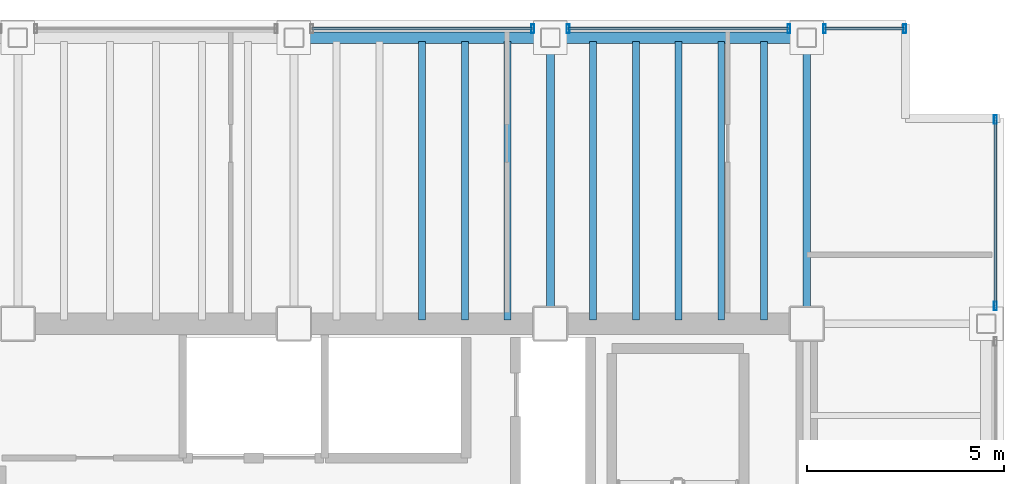
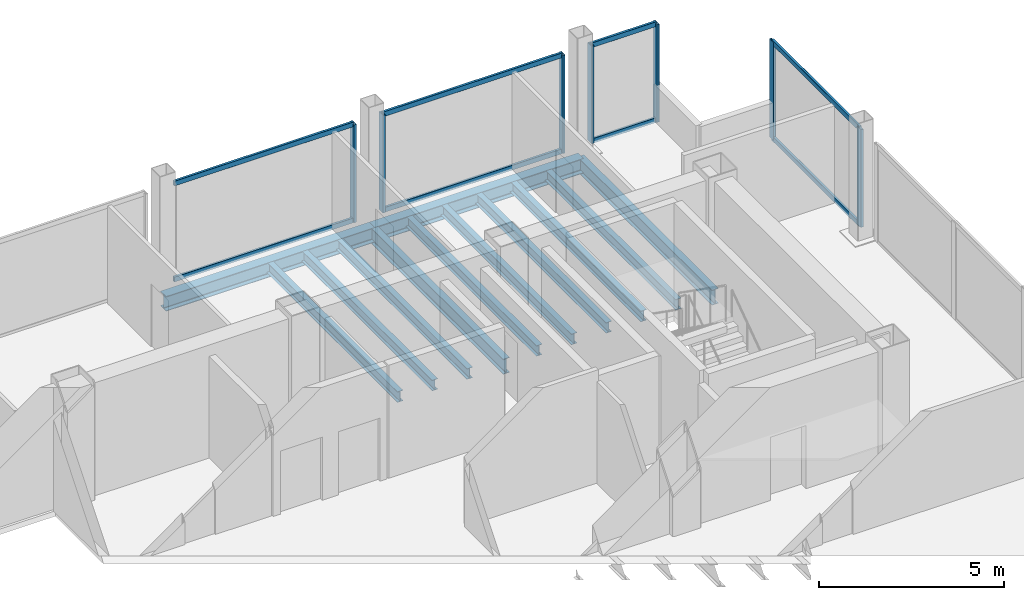
# One storey, part 14 of 19: 15 members, 12 beams, 4 elements without a shape of their own.
"""IFC4 building model written with IfcOpenShell, lengths in metres."""

from ifc_helpers import new_model, si_unit, direction, frame, origin, origin_2d, place, context, subcontext, project, spatial, hollow_rectangle, i_section, extrude, material, material_profile, profile_set, type_object, element, aggregate, save


model = new_model("IFC4")

# Units and contexts
model_context = context("Model", 3, precision=1e-05, world=origin(), true_north=direction((0.0, 1.0)))
body_context = subcontext(model_context, "Body", "Model", "MODEL_VIEW")
ifc_project = project(units=[si_unit("LENGTHUNIT", "METRE"), si_unit("AREAUNIT", "SQUARE_METRE"), si_unit("VOLUMEUNIT", "CUBIC_METRE"), si_unit("PLANEANGLEUNIT", "RADIAN"), si_unit("MASSUNIT", "GRAM", prefix="KILO")], contexts=[model_context])

# Site, building, storey
site_placement = place(None, origin())
site = spatial("IfcSite", under=ifc_project, at=site_placement, CompositionType="ELEMENT")
building_placement = place(site_placement, origin())
building = spatial("IfcBuilding", under=site, at=building_placement, Name="Noeulbin Bourse Tower", CompositionType="ELEMENT")
storey_placement = place(building_placement, frame((0.0, 0.0, 153.89990234375)))
storey = spatial("IfcBuildingStorey", under=building, at=storey_placement, Name="L38", CompositionType="ELEMENT", Elevation=153.89990234375)

# Beams
ifc_material_1 = material(Name="Steel S355", Category="steel")
ifc_material_profile_1 = material_profile(ifc_material_1, i_section(OverallWidth=0.199951171875, OverallDepth=0.5, WebThickness=0.010009765625, FlangeThickness=0.01611328125, FilletRadius=0.02001953125, at=origin_2d()), Name="H-500x200x10x16", Category="LoadBearing")
ifc_profile_set_1 = profile_set([ifc_material_profile_1], Name="Steel S355")
beam_type_1 = type_object("IfcBeamType", Name="BM-GRD-500", PredefinedType="USERDEFINED", material=ifc_profile_set_1)
for number, where, z_axis, x_axis, name in (
    (1, (37.5, 38.300048828125, -0.429931640625), (0.0, 1.0, 0.0), (-1.0, 0.0, 0.0), "Tower Primary Girder NS L38-4.4"),
    (2, (44.0, 38.300048828125, -0.429931640625), (0.0, 1.0, 0.0), (-1.0, 0.0, 0.0), "Tower Primary Girder NS L38-5.4"),
):
    element("IfcBeam", number, at=place(storey_placement, frame(where, z_axis=z_axis, x_axis=x_axis)), inside=storey, type_object=beam_type_1, Name=name, ObjectType="GIRDER", PredefinedType="USERDEFINED", context=body_context, shape_type="SweptSolid", body=[
        extrude(i_section(OverallWidth=0.199951171875, OverallDepth=0.5, WebThickness=0.010009765625, FlangeThickness=0.01611328125, FilletRadius=0.02001953125, at=origin_2d()), origin(), (0.0, 0.0, 1.0), 7.25),
    ])
ifc_material_profile_2 = material_profile(ifc_material_1, i_section(OverallWidth=0.175048828125, OverallDepth=0.35009765625, WebThickness=0.007080078125, FlangeThickness=0.010986328125, FilletRadius=0.013916015625, at=origin_2d()), Name="H-350x175x7x11", Category="LoadBearing")
ifc_profile_set_2 = profile_set([ifc_material_profile_2], Name="Steel S355")
beam_type_2 = type_object("IfcBeamType", Name="BM-JST-350", PredefinedType="JOIST", material=ifc_profile_set_2)
for number, where, z_axis, x_axis, name in (
    (3, (34.25, 38.39990234375, -0.35498046875), (0.0, 1.0, 0.0), (-1.0, 0.0, 0.0), "Tower Composite Joist L38-48"),
    (4, (35.333251953125, 38.39990234375, -0.35498046875), (0.0, 1.0, 0.0), (-1.0, 0.0, 0.0), "Tower Composite Joist L38-51"),
    (5, (36.416748046875, 38.39990234375, -0.35498046875), (0.0, 1.0, 0.0), (-1.0, 0.0, 0.0), "Tower Composite Joist L38-54"),
    (6, (38.583251953125, 38.39990234375, -0.35498046875), (0.0, 1.0, 0.0), (-1.0, 0.0, 0.0), "Tower Composite Joist L38-57"),
    (7, (39.666748046875, 38.39990234375, -0.35498046875), (0.0, 1.0, 0.0), (-1.0, 0.0, 0.0), "Tower Composite Joist L38-60"),
    (8, (40.75, 38.39990234375, -0.35498046875), (0.0, 1.0, 0.0), (-1.0, 0.0, 0.0), "Tower Composite Joist L38-63"),
    (9, (41.833251953125, 38.39990234375, -0.35498046875), (0.0, 1.0, 0.0), (-1.0, 0.0, 0.0), "Tower Composite Joist L38-66"),
    (10, (42.916748046875, 38.39990234375, -0.35498046875), (0.0, 1.0, 0.0), (-1.0, 0.0, 0.0), "Tower Composite Joist L38-69"),
):
    element("IfcBeam", number, at=place(storey_placement, frame(where, z_axis=z_axis, x_axis=x_axis)), inside=storey, type_object=beam_type_2, Name=name, PredefinedType="JOIST", context=body_context, shape_type="SweptSolid", body=[
        extrude(i_section(OverallWidth=0.175048828125, OverallDepth=0.35009765625, WebThickness=0.007080078125, FlangeThickness=0.010986328125, FilletRadius=0.013916015625, at=origin_2d()), origin(), (0.0, 0.0, 1.0), 7.050048828125),
    ])
ifc_material_profile_3 = material_profile(ifc_material_1, i_section(OverallWidth=0.300048828125, OverallDepth=0.488037109375, WebThickness=0.010986328125, FlangeThickness=0.01806640625, FilletRadius=0.02197265625, at=origin_2d()), Name="H-488x300x11x18", Category="LoadBearing")
ifc_profile_set_3 = profile_set([ifc_material_profile_3], Name="Steel S355")
beam_type_3 = type_object("IfcBeamType", Name="BM-SPN-488", PredefinedType="SPANDREL", material=ifc_profile_set_3)
for number, where, z_axis, x_axis, name in (
    (11, (31.0, 45.550048828125, -0.423828125), (1.0, 0.0, 0.0), (0.0, 1.0, 0.0), "North Spandrel L38-3"),
    (12, (37.5, 45.550048828125, -0.423828125), (1.0, 0.0, 0.0), (0.0, 1.0, 0.0), "North Spandrel L38-4"),
):
    element("IfcBeam", number, at=place(storey_placement, frame(where, z_axis=z_axis, x_axis=x_axis)), inside=storey, type_object=beam_type_3, Name=name, PredefinedType="SPANDREL", context=body_context, shape_type="SweptSolid", body=[
        extrude(i_section(OverallWidth=0.300048828125, OverallDepth=0.488037109375, WebThickness=0.010986328125, FlangeThickness=0.01806640625, FilletRadius=0.02197265625, at=origin_2d()), origin(), (0.0, 0.0, 1.0), 6.5),
    ])

# Curtain wall, member
ifc_material_2 = material(Name="Dark Tinted Triple Glazing", Category="glass")
curtain_wall_type = type_object("IfcCurtainWallType", Name="CW-SYS-3", PredefinedType="NOTDEFINED", material=ifc_material_2)
curtain_wall_1_placement = place(storey_placement, origin())
curtain_wall_1 = element("IfcCurtainWall", 13, at=curtain_wall_1_placement, inside=storey, type_object=curtain_wall_type, Name="Unitised Curtain Wall CW-L38-N-S4", PredefinedType="NOTDEFINED")
ifc_material_3 = material(Name="Anodised Aluminium 6063-T6", Category="aluminium")
ifc_material_profile_4 = material_profile(ifc_material_3, hollow_rectangle(XDim=0.074951171875, YDim=0.219970703125, WallThickness=0.0048828125, InnerFilletRadius=0.00244140625, OuterFilletRadius=0.0048828125, at=origin_2d()), Name="ALU-MULL-75x220x5", Category="LoadBearing")
ifc_profile_set_4 = profile_set([ifc_material_profile_4], Name="Anodised Aluminium 6063-T6")
member_type_1 = type_object("IfcMemberType", Name="CW-SYS-3-MUL", PredefinedType="MULLION", material=ifc_profile_set_4)
member_1_placement = place(storey_placement, frame((37.050048828125, 45.780029296875, -0.02001953125), z_axis=(0.0, 0.0, 1.0), x_axis=(1.0, 0.0, 0.0)))
member_1 = element("IfcMember", 14, at=member_1_placement, type_object=member_type_1, Name="Curtain Wall Mullion CW-L38-N-S4-M01", PredefinedType="MULLION", context=body_context, shape_type="SweptSolid", body=[
    extrude(hollow_rectangle(XDim=0.074951171875, YDim=0.219970703125, WallThickness=0.0048828125, InnerFilletRadius=0.00244140625, OuterFilletRadius=0.0048828125, at=origin_2d()), origin(), (0.0, 0.0, 1.0), 3.22021484375),
])

# Curtain wall, members
curtain_wall_2_placement = place(storey_placement, origin())
curtain_wall_2 = element("IfcCurtainWall", 15, at=curtain_wall_2_placement, inside=storey, type_object=curtain_wall_type, Name="Unitised Curtain Wall CW-L38-N-S5", PredefinedType="NOTDEFINED")
member_2_placement = place(storey_placement, frame((37.949951171875, 45.780029296875, -0.02001953125), z_axis=(0.0, 0.0, 1.0), x_axis=(1.0, 0.0, 0.0)))
member_2 = element("IfcMember", 16, at=member_2_placement, type_object=member_type_1, Name="Curtain Wall Mullion CW-L38-N-S5-M00", PredefinedType="MULLION", context=body_context, shape_type="SweptSolid", body=[
    extrude(hollow_rectangle(XDim=0.074951171875, YDim=0.219970703125, WallThickness=0.0048828125, InnerFilletRadius=0.00244140625, OuterFilletRadius=0.0048828125, at=origin_2d()), origin(), (0.0, 0.0, 1.0), 3.22021484375),
])
member_3_placement = place(storey_placement, frame((43.550048828125, 45.780029296875, -0.02001953125), z_axis=(0.0, 0.0, 1.0), x_axis=(1.0, 0.0, 0.0)))
member_3 = element("IfcMember", 17, at=member_3_placement, type_object=member_type_1, Name="Curtain Wall Mullion CW-L38-N-S5-M01", PredefinedType="MULLION", context=body_context, shape_type="SweptSolid", body=[
    extrude(hollow_rectangle(XDim=0.074951171875, YDim=0.219970703125, WallThickness=0.0048828125, InnerFilletRadius=0.00244140625, OuterFilletRadius=0.0048828125, at=origin_2d()), origin(), (0.0, 0.0, 1.0), 3.22021484375),
])

curtain_wall_3_placement = place(storey_placement, origin())
curtain_wall_3 = element("IfcCurtainWall", 18, at=curtain_wall_3_placement, inside=storey, type_object=curtain_wall_type, Name="Unitised Curtain Wall CW-L38-N-S6", PredefinedType="NOTDEFINED")
member_4_placement = place(storey_placement, frame((44.449951171875, 45.780029296875, -0.02001953125), z_axis=(0.0, 0.0, 1.0), x_axis=(1.0, 0.0, 0.0)))
member_4 = element("IfcMember", 19, at=member_4_placement, type_object=member_type_1, Name="Curtain Wall Mullion CW-L38-N-S6-M00", PredefinedType="MULLION", context=body_context, shape_type="SweptSolid", body=[
    extrude(hollow_rectangle(XDim=0.074951171875, YDim=0.219970703125, WallThickness=0.0048828125, InnerFilletRadius=0.00244140625, OuterFilletRadius=0.0048828125, at=origin_2d()), origin(), (0.0, 0.0, 1.0), 3.22021484375),
])
member_5_placement = place(storey_placement, frame((46.47998046875, 45.780029296875, -0.02001953125), z_axis=(0.0, 0.0, 1.0), x_axis=(1.0, 0.0, 0.0)))
member_5 = element("IfcMember", 20, at=member_5_placement, type_object=member_type_1, Name="Curtain Wall Mullion CW-L38-N-S6-M01", PredefinedType="MULLION", context=body_context, shape_type="SweptSolid", body=[
    extrude(hollow_rectangle(XDim=0.074951171875, YDim=0.219970703125, WallThickness=0.0048828125, InnerFilletRadius=0.00244140625, OuterFilletRadius=0.0048828125, at=origin_2d()), origin(), (0.0, 0.0, 1.0), 3.22021484375),
])

curtain_wall_4_placement = place(storey_placement, origin())
curtain_wall_4 = element("IfcCurtainWall", 21, at=curtain_wall_4_placement, inside=storey, type_object=curtain_wall_type, Name="Unitised Curtain Wall CW-L38-E-S3", PredefinedType="NOTDEFINED")
member_6_placement = place(storey_placement, frame((48.780029296875, 38.75, -0.02001953125), z_axis=(0.0, 0.0, 1.0), x_axis=(1.0, 0.0, 0.0)))
member_6 = element("IfcMember", 22, at=member_6_placement, type_object=member_type_1, Name="Curtain Wall Mullion CW-L38-E-S3-M00", PredefinedType="MULLION", context=body_context, shape_type="SweptSolid", body=[
    extrude(hollow_rectangle(XDim=0.074951171875, YDim=0.219970703125, WallThickness=0.0048828125, InnerFilletRadius=0.00244140625, OuterFilletRadius=0.0048828125, at=origin_2d()), origin(), (0.0, 0.0, 1.0), 3.22021484375),
])
member_7_placement = place(storey_placement, frame((48.780029296875, 43.47998046875, -0.02001953125), z_axis=(0.0, 0.0, 1.0), x_axis=(1.0, 0.0, 0.0)))
member_7 = element("IfcMember", 23, at=member_7_placement, type_object=member_type_1, Name="Curtain Wall Mullion CW-L38-E-S3-M01", PredefinedType="MULLION", context=body_context, shape_type="SweptSolid", body=[
    extrude(hollow_rectangle(XDim=0.074951171875, YDim=0.219970703125, WallThickness=0.0048828125, InnerFilletRadius=0.00244140625, OuterFilletRadius=0.0048828125, at=origin_2d()), origin(), (0.0, 0.0, 1.0), 3.22021484375),
])

# Member
ifc_material_profile_5 = material_profile(ifc_material_3, hollow_rectangle(XDim=0.074951171875, YDim=0.159912109375, WallThickness=0.0048828125, InnerFilletRadius=0.00244140625, OuterFilletRadius=0.0048828125, at=origin_2d()), Name="ALU-TRAN-75x160x5", Category="LoadBearing")
ifc_profile_set_5 = profile_set([ifc_material_profile_5], Name="Anodised Aluminium 6063-T6")
member_type_2 = type_object("IfcMemberType", Name="CW-SYS-3-TRN", PredefinedType="USERDEFINED", material=ifc_profile_set_5)
member_8_placement = place(storey_placement, frame((31.4599609375, 45.780029296875, 0.010009765625), z_axis=(1.0, 0.0, 0.0), x_axis=(0.0, 1.0, 0.0)))
member_8 = element("IfcMember", 24, at=member_8_placement, type_object=member_type_2, Name="Curtain Wall Transom CW-L38-N-S4-T00", ObjectType="TRANSOM", PredefinedType="USERDEFINED", context=body_context, shape_type="SweptSolid", body=[
    extrude(hollow_rectangle(XDim=0.074951171875, YDim=0.159912109375, WallThickness=0.0048828125, InnerFilletRadius=0.00244140625, OuterFilletRadius=0.0048828125, at=origin_2d()), origin(), (0.0, 0.0, 1.0), 5.580078125),
])

member_9_placement = place(storey_placement, frame((31.4599609375, 45.780029296875, 3.170166015625), z_axis=(1.0, 0.0, 0.0), x_axis=(0.0, 1.0, 0.0)))
member_9 = element("IfcMember", 25, at=member_9_placement, type_object=member_type_2, Name="Curtain Wall Transom CW-L38-N-S4-T01", ObjectType="TRANSOM", PredefinedType="USERDEFINED", context=body_context, shape_type="SweptSolid", body=[
    extrude(hollow_rectangle(XDim=0.074951171875, YDim=0.159912109375, WallThickness=0.0048828125, InnerFilletRadius=0.00244140625, OuterFilletRadius=0.0048828125, at=origin_2d()), origin(), (0.0, 0.0, 1.0), 5.580078125),
])

aggregate(curtain_wall_1, [member_1, member_8, member_9])

member_10_placement = place(storey_placement, frame((37.9599609375, 45.780029296875, 0.010009765625), z_axis=(1.0, 0.0, 0.0), x_axis=(0.0, 1.0, 0.0)))
member_10 = element("IfcMember", 26, at=member_10_placement, type_object=member_type_2, Name="Curtain Wall Transom CW-L38-N-S5-T00", ObjectType="TRANSOM", PredefinedType="USERDEFINED", context=body_context, shape_type="SweptSolid", body=[
    extrude(hollow_rectangle(XDim=0.074951171875, YDim=0.159912109375, WallThickness=0.0048828125, InnerFilletRadius=0.00244140625, OuterFilletRadius=0.0048828125, at=origin_2d()), origin(), (0.0, 0.0, 1.0), 5.580078125),
])

member_11_placement = place(storey_placement, frame((37.9599609375, 45.780029296875, 3.170166015625), z_axis=(1.0, 0.0, 0.0), x_axis=(0.0, 1.0, 0.0)))
member_11 = element("IfcMember", 27, at=member_11_placement, type_object=member_type_2, Name="Curtain Wall Transom CW-L38-N-S5-T01", ObjectType="TRANSOM", PredefinedType="USERDEFINED", context=body_context, shape_type="SweptSolid", body=[
    extrude(hollow_rectangle(XDim=0.074951171875, YDim=0.159912109375, WallThickness=0.0048828125, InnerFilletRadius=0.00244140625, OuterFilletRadius=0.0048828125, at=origin_2d()), origin(), (0.0, 0.0, 1.0), 5.580078125),
])

aggregate(curtain_wall_2, [member_2, member_3, member_10, member_11])

member_12_placement = place(storey_placement, frame((44.4599609375, 45.780029296875, 0.010009765625), z_axis=(1.0, 0.0, 0.0), x_axis=(0.0, 1.0, 0.0)))
member_12 = element("IfcMember", 28, at=member_12_placement, type_object=member_type_2, Name="Curtain Wall Transom CW-L38-N-S6-T00", ObjectType="TRANSOM", PredefinedType="USERDEFINED", context=body_context, shape_type="SweptSolid", body=[
    extrude(hollow_rectangle(XDim=0.074951171875, YDim=0.159912109375, WallThickness=0.0048828125, InnerFilletRadius=0.00244140625, OuterFilletRadius=0.0048828125, at=origin_2d()), origin(), (0.0, 0.0, 1.0), 2.010009765625),
])

member_13_placement = place(storey_placement, frame((44.4599609375, 45.780029296875, 3.170166015625), z_axis=(1.0, 0.0, 0.0), x_axis=(0.0, 1.0, 0.0)))
member_13 = element("IfcMember", 29, at=member_13_placement, type_object=member_type_2, Name="Curtain Wall Transom CW-L38-N-S6-T01", ObjectType="TRANSOM", PredefinedType="USERDEFINED", context=body_context, shape_type="SweptSolid", body=[
    extrude(hollow_rectangle(XDim=0.074951171875, YDim=0.159912109375, WallThickness=0.0048828125, InnerFilletRadius=0.00244140625, OuterFilletRadius=0.0048828125, at=origin_2d()), origin(), (0.0, 0.0, 1.0), 2.010009765625),
])

aggregate(curtain_wall_3, [member_4, member_5, member_12, member_13])

member_14_placement = place(storey_placement, frame((48.780029296875, 38.760009765625, 0.010009765625), z_axis=(0.0, 1.0, 0.0), x_axis=(-1.0, 0.0, 0.0)))
member_14 = element("IfcMember", 30, at=member_14_placement, type_object=member_type_2, Name="Curtain Wall Transom CW-L38-E-S3-T00", ObjectType="TRANSOM", PredefinedType="USERDEFINED", context=body_context, shape_type="SweptSolid", body=[
    extrude(hollow_rectangle(XDim=0.074951171875, YDim=0.159912109375, WallThickness=0.0048828125, InnerFilletRadius=0.00244140625, OuterFilletRadius=0.0048828125, at=origin_2d()), origin(), (0.0, 0.0, 1.0), 4.7099609375),
])

member_15_placement = place(storey_placement, frame((48.780029296875, 38.760009765625, 3.170166015625), z_axis=(0.0, 1.0, 0.0), x_axis=(-1.0, 0.0, 0.0)))
member_15 = element("IfcMember", 31, at=member_15_placement, type_object=member_type_2, Name="Curtain Wall Transom CW-L38-E-S3-T01", ObjectType="TRANSOM", PredefinedType="USERDEFINED", context=body_context, shape_type="SweptSolid", body=[
    extrude(hollow_rectangle(XDim=0.074951171875, YDim=0.159912109375, WallThickness=0.0048828125, InnerFilletRadius=0.00244140625, OuterFilletRadius=0.0048828125, at=origin_2d()), origin(), (0.0, 0.0, 1.0), 4.7099609375),
])

aggregate(curtain_wall_4, [member_6, member_7, member_14, member_15])

save(model, "model.ifc")
